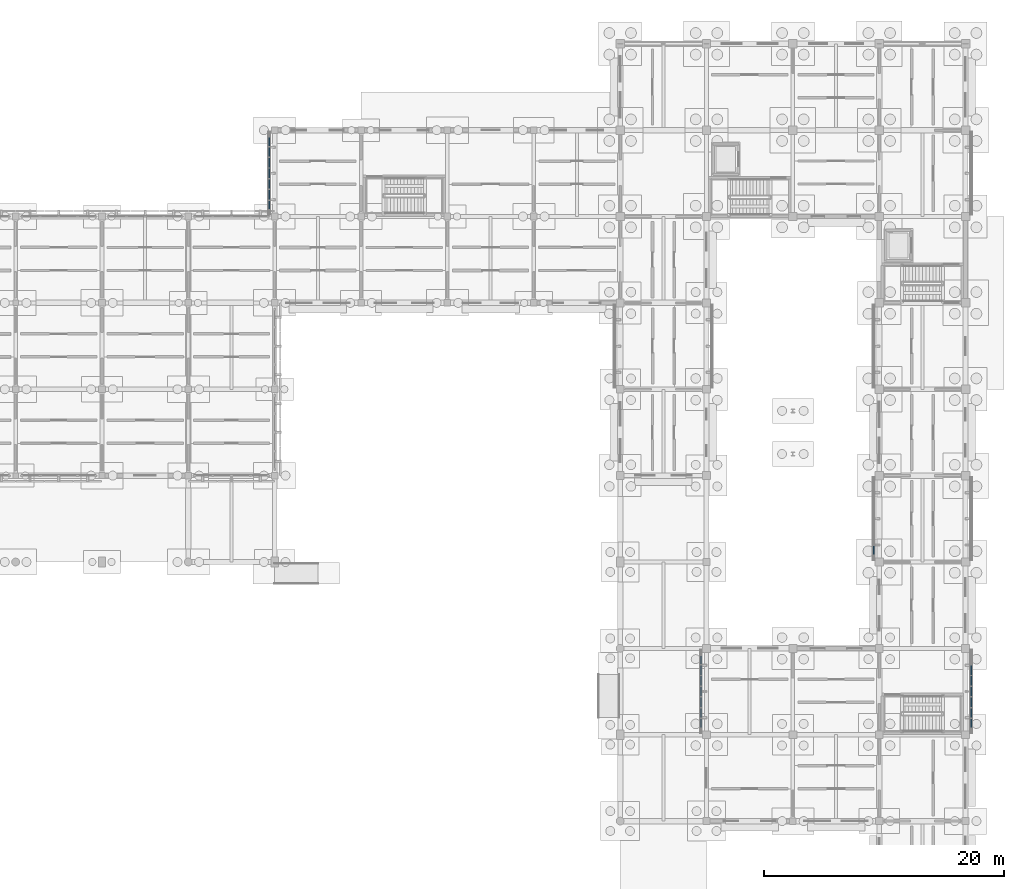
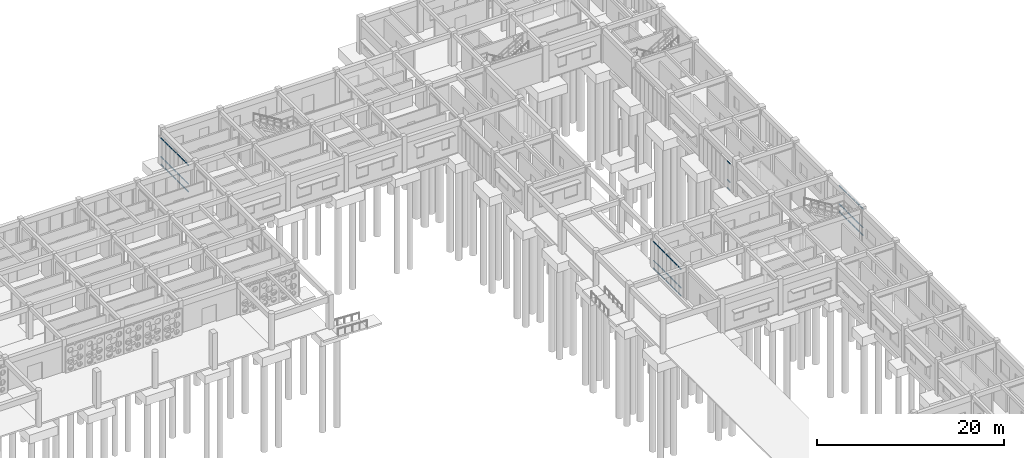
# One storey, part 44 of 111: 63 members, 4 elements without a shape of their own.
"""IFC4 building model written with IfcOpenShell, lengths in metres."""

from ifc_helpers import new_model, si_unit, direction, frame, origin, origin_2d, place, context, subcontext, project, spatial, hollow_rectangle, extrude, material, material_profile, profile_set, type_object, element, aggregate, save


model = new_model("IFC4")

# Units and contexts
model_context = context("Model", 3, precision=1e-05, world=origin(), true_north=direction((0.0, 1.0)))
body_context = subcontext(model_context, "Body", "Model", "MODEL_VIEW")
ifc_project = project(units=[si_unit("LENGTHUNIT", "METRE"), si_unit("AREAUNIT", "SQUARE_METRE"), si_unit("VOLUMEUNIT", "CUBIC_METRE"), si_unit("PLANEANGLEUNIT", "RADIAN"), si_unit("MASSUNIT", "GRAM", prefix="KILO")], contexts=[model_context])

# Site, building, storey
site_placement = place(None, origin())
site = spatial("IfcSite", under=ifc_project, at=site_placement, CompositionType="ELEMENT")
building_placement = place(site_placement, origin())
building = spatial("IfcBuilding", under=site, at=building_placement, Name="Aldebral Square Health Centre", CompositionType="ELEMENT")
storey_placement = place(building_placement, origin())
storey = spatial("IfcBuildingStorey", under=building, at=storey_placement, Name="L00", CompositionType="ELEMENT", Elevation=0.0)

# Curtain wall, members
ifc_material_1 = material(Name="Aluminium and low-E solar glass", Category="aluminium")
curtain_wall_type = type_object("IfcCurtainWallType", Name="CW-FIN-SYS", PredefinedType="USERDEFINED", material=ifc_material_1)
curtain_wall_1_placement = place(storey_placement, origin())
curtain_wall_1 = element("IfcCurtainWall", 1, at=curtain_wall_1_placement, inside=storey, type_object=curtain_wall_type, Name="L00 V5 finned curtain wall L00-V5-15-14-W", ObjectType="SOLAR_CURTAIN_WALL", PredefinedType="USERDEFINED")
ifc_material_2 = material(Name="Anodised aluminium transom", Category="aluminium")
ifc_material_profile = material_profile(ifc_material_2, hollow_rectangle(XDim=0.074951171875, YDim=0.14990234375, WallThickness=0.00390625, at=origin_2d()), Name="CWT 75x150x4")
ifc_profile_set = profile_set([ifc_material_profile], Name="Anodised aluminium transom")
member_type = type_object("IfcMemberType", Name="CWT-STD", PredefinedType="USERDEFINED", material=ifc_profile_set)
member_1_placement = place(storey_placement, frame((107.5400390625, 107.360107421875, 0.03759765625), z_axis=(0.0, -1.0, 0.0), x_axis=(1.0, 0.0, 0.0)))
member_1 = element("IfcMember", 2, at=member_1_placement, type_object=member_type, Name="CW1 transom 1.1", ObjectType="TRANSOM", PredefinedType="USERDEFINED", context=body_context, shape_type="SweptSolid", body=[
    extrude(hollow_rectangle(XDim=0.074951171875, YDim=0.14990234375, WallThickness=0.00390625, at=origin_2d()), origin(), (0.0, 0.0, 1.0), 0.651611328125),
])
member_2_placement = place(storey_placement, frame((107.5400390625, 107.360107421875, 1.050048828125), z_axis=(0.0, -1.0, 0.0), x_axis=(1.0, 0.0, 0.0)))
member_2 = element("IfcMember", 3, at=member_2_placement, type_object=member_type, Name="CW1 transom 1.2", ObjectType="TRANSOM", PredefinedType="USERDEFINED", context=body_context, shape_type="SweptSolid", body=[
    extrude(hollow_rectangle(XDim=0.074951171875, YDim=0.14990234375, WallThickness=0.00390625, at=origin_2d()), origin(), (0.0, 0.0, 1.0), 0.651611328125),
])
member_3_placement = place(storey_placement, frame((107.5400390625, 107.360107421875, 3.482421875), z_axis=(0.0, -1.0, 0.0), x_axis=(1.0, 0.0, 0.0)))
member_3 = element("IfcMember", 4, at=member_3_placement, type_object=member_type, Name="CW1 transom 1.3", ObjectType="TRANSOM", PredefinedType="USERDEFINED", context=body_context, shape_type="SweptSolid", body=[
    extrude(hollow_rectangle(XDim=0.074951171875, YDim=0.14990234375, WallThickness=0.00390625, at=origin_2d()), origin(), (0.0, 0.0, 1.0), 0.651611328125),
])
member_4_placement = place(storey_placement, frame((107.5400390625, 106.548583984375, 0.03759765625), z_axis=(0.0, -1.0, 0.0), x_axis=(1.0, 0.0, 0.0)))
member_4 = element("IfcMember", 5, at=member_4_placement, type_object=member_type, Name="CW1 transom 2.1", ObjectType="TRANSOM", PredefinedType="USERDEFINED", context=body_context, shape_type="SweptSolid", body=[
    extrude(hollow_rectangle(XDim=0.074951171875, YDim=0.14990234375, WallThickness=0.00390625, at=origin_2d()), origin(), (0.0, 0.0, 1.0), 0.7314453125),
])
member_5_placement = place(storey_placement, frame((107.5400390625, 106.548583984375, 1.050048828125), z_axis=(0.0, -1.0, 0.0), x_axis=(1.0, 0.0, 0.0)))
member_5 = element("IfcMember", 6, at=member_5_placement, type_object=member_type, Name="CW1 transom 2.2", ObjectType="TRANSOM", PredefinedType="USERDEFINED", context=body_context, shape_type="SweptSolid", body=[
    extrude(hollow_rectangle(XDim=0.074951171875, YDim=0.14990234375, WallThickness=0.00390625, at=origin_2d()), origin(), (0.0, 0.0, 1.0), 0.7314453125),
])
member_6_placement = place(storey_placement, frame((107.5400390625, 106.548583984375, 3.482421875), z_axis=(0.0, -1.0, 0.0), x_axis=(1.0, 0.0, 0.0)))
member_6 = element("IfcMember", 7, at=member_6_placement, type_object=member_type, Name="CW1 transom 2.3", ObjectType="TRANSOM", PredefinedType="USERDEFINED", context=body_context, shape_type="SweptSolid", body=[
    extrude(hollow_rectangle(XDim=0.074951171875, YDim=0.14990234375, WallThickness=0.00390625, at=origin_2d()), origin(), (0.0, 0.0, 1.0), 0.7314453125),
])
member_7_placement = place(storey_placement, frame((107.5400390625, 105.6572265625, 0.03759765625), z_axis=(0.0, -1.0, 0.0), x_axis=(1.0, 0.0, 0.0)))
member_7 = element("IfcMember", 8, at=member_7_placement, type_object=member_type, Name="CW1 transom 3.1", ObjectType="TRANSOM", PredefinedType="USERDEFINED", context=body_context, shape_type="SweptSolid", body=[
    extrude(hollow_rectangle(XDim=0.074951171875, YDim=0.14990234375, WallThickness=0.00390625, at=origin_2d()), origin(), (0.0, 0.0, 1.0), 0.7314453125),
])
member_8_placement = place(storey_placement, frame((107.5400390625, 105.6572265625, 1.050048828125), z_axis=(0.0, -1.0, 0.0), x_axis=(1.0, 0.0, 0.0)))
member_8 = element("IfcMember", 9, at=member_8_placement, type_object=member_type, Name="CW1 transom 3.2", ObjectType="TRANSOM", PredefinedType="USERDEFINED", context=body_context, shape_type="SweptSolid", body=[
    extrude(hollow_rectangle(XDim=0.074951171875, YDim=0.14990234375, WallThickness=0.00390625, at=origin_2d()), origin(), (0.0, 0.0, 1.0), 0.7314453125),
])
member_9_placement = place(storey_placement, frame((107.5400390625, 105.6572265625, 3.482421875), z_axis=(0.0, -1.0, 0.0), x_axis=(1.0, 0.0, 0.0)))
member_9 = element("IfcMember", 10, at=member_9_placement, type_object=member_type, Name="CW1 transom 3.3", ObjectType="TRANSOM", PredefinedType="USERDEFINED", context=body_context, shape_type="SweptSolid", body=[
    extrude(hollow_rectangle(XDim=0.074951171875, YDim=0.14990234375, WallThickness=0.00390625, at=origin_2d()), origin(), (0.0, 0.0, 1.0), 0.7314453125),
])
member_10_placement = place(storey_placement, frame((107.5400390625, 104.765625, 0.03759765625), z_axis=(0.0, -1.0, 0.0), x_axis=(1.0, 0.0, 0.0)))
member_10 = element("IfcMember", 11, at=member_10_placement, type_object=member_type, Name="CW1 transom 4.1", ObjectType="TRANSOM", PredefinedType="USERDEFINED", context=body_context, shape_type="SweptSolid", body=[
    extrude(hollow_rectangle(XDim=0.074951171875, YDim=0.14990234375, WallThickness=0.00390625, at=origin_2d()), origin(), (0.0, 0.0, 1.0), 0.7314453125),
])
member_11_placement = place(storey_placement, frame((107.5400390625, 104.765625, 1.050048828125), z_axis=(0.0, -1.0, 0.0), x_axis=(1.0, 0.0, 0.0)))
member_11 = element("IfcMember", 12, at=member_11_placement, type_object=member_type, Name="CW1 transom 4.2", ObjectType="TRANSOM", PredefinedType="USERDEFINED", context=body_context, shape_type="SweptSolid", body=[
    extrude(hollow_rectangle(XDim=0.074951171875, YDim=0.14990234375, WallThickness=0.00390625, at=origin_2d()), origin(), (0.0, 0.0, 1.0), 0.7314453125),
])
member_12_placement = place(storey_placement, frame((107.5400390625, 104.765625, 3.482421875), z_axis=(0.0, -1.0, 0.0), x_axis=(1.0, 0.0, 0.0)))
member_12 = element("IfcMember", 13, at=member_12_placement, type_object=member_type, Name="CW1 transom 4.3", ObjectType="TRANSOM", PredefinedType="USERDEFINED", context=body_context, shape_type="SweptSolid", body=[
    extrude(hollow_rectangle(XDim=0.074951171875, YDim=0.14990234375, WallThickness=0.00390625, at=origin_2d()), origin(), (0.0, 0.0, 1.0), 0.7314453125),
])
member_13_placement = place(storey_placement, frame((107.5400390625, 103.874267578125, 0.03759765625), z_axis=(0.0, -1.0, 0.0), x_axis=(1.0, 0.0, 0.0)))
member_13 = element("IfcMember", 14, at=member_13_placement, type_object=member_type, Name="CW1 transom 5.1", ObjectType="TRANSOM", PredefinedType="USERDEFINED", context=body_context, shape_type="SweptSolid", body=[
    extrude(hollow_rectangle(XDim=0.074951171875, YDim=0.14990234375, WallThickness=0.00390625, at=origin_2d()), origin(), (0.0, 0.0, 1.0), 0.7314453125),
])
member_14_placement = place(storey_placement, frame((107.5400390625, 103.874267578125, 1.050048828125), z_axis=(0.0, -1.0, 0.0), x_axis=(1.0, 0.0, 0.0)))
member_14 = element("IfcMember", 15, at=member_14_placement, type_object=member_type, Name="CW1 transom 5.2", ObjectType="TRANSOM", PredefinedType="USERDEFINED", context=body_context, shape_type="SweptSolid", body=[
    extrude(hollow_rectangle(XDim=0.074951171875, YDim=0.14990234375, WallThickness=0.00390625, at=origin_2d()), origin(), (0.0, 0.0, 1.0), 0.7314453125),
])
member_15_placement = place(storey_placement, frame((107.5400390625, 103.874267578125, 3.482421875), z_axis=(0.0, -1.0, 0.0), x_axis=(1.0, 0.0, 0.0)))
member_15 = element("IfcMember", 16, at=member_15_placement, type_object=member_type, Name="CW1 transom 5.3", ObjectType="TRANSOM", PredefinedType="USERDEFINED", context=body_context, shape_type="SweptSolid", body=[
    extrude(hollow_rectangle(XDim=0.074951171875, YDim=0.14990234375, WallThickness=0.00390625, at=origin_2d()), origin(), (0.0, 0.0, 1.0), 0.7314453125),
])
member_16_placement = place(storey_placement, frame((107.5400390625, 102.98291015625, 0.03759765625), z_axis=(0.0, -1.0, 0.0), x_axis=(1.0, 0.0, 0.0)))
member_16 = element("IfcMember", 17, at=member_16_placement, type_object=member_type, Name="CW1 transom 6.1", ObjectType="TRANSOM", PredefinedType="USERDEFINED", context=body_context, shape_type="SweptSolid", body=[
    extrude(hollow_rectangle(XDim=0.074951171875, YDim=0.14990234375, WallThickness=0.00390625, at=origin_2d()), origin(), (0.0, 0.0, 1.0), 0.7314453125),
])
member_17_placement = place(storey_placement, frame((107.5400390625, 102.98291015625, 1.050048828125), z_axis=(0.0, -1.0, 0.0), x_axis=(1.0, 0.0, 0.0)))
member_17 = element("IfcMember", 18, at=member_17_placement, type_object=member_type, Name="CW1 transom 6.2", ObjectType="TRANSOM", PredefinedType="USERDEFINED", context=body_context, shape_type="SweptSolid", body=[
    extrude(hollow_rectangle(XDim=0.074951171875, YDim=0.14990234375, WallThickness=0.00390625, at=origin_2d()), origin(), (0.0, 0.0, 1.0), 0.7314453125),
])
member_18_placement = place(storey_placement, frame((107.5400390625, 102.98291015625, 3.482421875), z_axis=(0.0, -1.0, 0.0), x_axis=(1.0, 0.0, 0.0)))
member_18 = element("IfcMember", 19, at=member_18_placement, type_object=member_type, Name="CW1 transom 6.3", ObjectType="TRANSOM", PredefinedType="USERDEFINED", context=body_context, shape_type="SweptSolid", body=[
    extrude(hollow_rectangle(XDim=0.074951171875, YDim=0.14990234375, WallThickness=0.00390625, at=origin_2d()), origin(), (0.0, 0.0, 1.0), 0.7314453125),
])
member_19_placement = place(storey_placement, frame((107.5400390625, 102.09130859375, 0.03759765625), z_axis=(0.0, -1.0, 0.0), x_axis=(1.0, 0.0, 0.0)))
member_19 = element("IfcMember", 20, at=member_19_placement, type_object=member_type, Name="CW1 transom 7.1", ObjectType="TRANSOM", PredefinedType="USERDEFINED", context=body_context, shape_type="SweptSolid", body=[
    extrude(hollow_rectangle(XDim=0.074951171875, YDim=0.14990234375, WallThickness=0.00390625, at=origin_2d()), origin(), (0.0, 0.0, 1.0), 0.6513671875),
])
member_20_placement = place(storey_placement, frame((107.5400390625, 102.09130859375, 1.050048828125), z_axis=(0.0, -1.0, 0.0), x_axis=(1.0, 0.0, 0.0)))
member_20 = element("IfcMember", 21, at=member_20_placement, type_object=member_type, Name="CW1 transom 7.2", ObjectType="TRANSOM", PredefinedType="USERDEFINED", context=body_context, shape_type="SweptSolid", body=[
    extrude(hollow_rectangle(XDim=0.074951171875, YDim=0.14990234375, WallThickness=0.00390625, at=origin_2d()), origin(), (0.0, 0.0, 1.0), 0.6513671875),
])
member_21_placement = place(storey_placement, frame((107.5400390625, 102.09130859375, 3.482421875), z_axis=(0.0, -1.0, 0.0), x_axis=(1.0, 0.0, 0.0)))
member_21 = element("IfcMember", 22, at=member_21_placement, type_object=member_type, Name="CW1 transom 7.3", ObjectType="TRANSOM", PredefinedType="USERDEFINED", context=body_context, shape_type="SweptSolid", body=[
    extrude(hollow_rectangle(XDim=0.074951171875, YDim=0.14990234375, WallThickness=0.00390625, at=origin_2d()), origin(), (0.0, 0.0, 1.0), 0.6513671875),
])
aggregate(curtain_wall_1, [member_1, member_2, member_3, member_4, member_5, member_6, member_7, member_8, member_9, member_10, member_11, member_12, member_13, member_14, member_15, member_16, member_17, member_18, member_19, member_20, member_21])

curtain_wall_2_placement = place(storey_placement, origin())
curtain_wall_2 = element("IfcCurtainWall", 23, at=curtain_wall_2_placement, inside=storey, type_object=curtain_wall_type, Name="L00 V5 finned curtain wall L00-V5-20-08-W", ObjectType="SOLAR_CURTAIN_WALL", PredefinedType="USERDEFINED")
member_22_placement = place(storey_placement, frame((143.5400390625, 64.159912109375, 0.03759765625), z_axis=(0.0, -1.0, 0.0), x_axis=(1.0, 0.0, 0.0)))
member_22 = element("IfcMember", 24, at=member_22_placement, type_object=member_type, Name="CW1 transom 1.1", ObjectType="TRANSOM", PredefinedType="USERDEFINED", context=body_context, shape_type="SweptSolid", body=[
    extrude(hollow_rectangle(XDim=0.074951171875, YDim=0.14990234375, WallThickness=0.00390625, at=origin_2d()), origin(), (0.0, 0.0, 1.0), 0.6513671875),
])
member_23_placement = place(storey_placement, frame((143.5400390625, 64.159912109375, 1.050048828125), z_axis=(0.0, -1.0, 0.0), x_axis=(1.0, 0.0, 0.0)))
member_23 = element("IfcMember", 25, at=member_23_placement, type_object=member_type, Name="CW1 transom 1.2", ObjectType="TRANSOM", PredefinedType="USERDEFINED", context=body_context, shape_type="SweptSolid", body=[
    extrude(hollow_rectangle(XDim=0.074951171875, YDim=0.14990234375, WallThickness=0.00390625, at=origin_2d()), origin(), (0.0, 0.0, 1.0), 0.6513671875),
])
member_24_placement = place(storey_placement, frame((143.5400390625, 64.159912109375, 3.482421875), z_axis=(0.0, -1.0, 0.0), x_axis=(1.0, 0.0, 0.0)))
member_24 = element("IfcMember", 26, at=member_24_placement, type_object=member_type, Name="CW1 transom 1.3", ObjectType="TRANSOM", PredefinedType="USERDEFINED", context=body_context, shape_type="SweptSolid", body=[
    extrude(hollow_rectangle(XDim=0.074951171875, YDim=0.14990234375, WallThickness=0.00390625, at=origin_2d()), origin(), (0.0, 0.0, 1.0), 0.6513671875),
])
member_25_placement = place(storey_placement, frame((143.5400390625, 63.3486328125, 0.03759765625), z_axis=(0.0, -1.0, 0.0), x_axis=(1.0, 0.0, 0.0)))
member_25 = element("IfcMember", 27, at=member_25_placement, type_object=member_type, Name="CW1 transom 2.1", ObjectType="TRANSOM", PredefinedType="USERDEFINED", context=body_context, shape_type="SweptSolid", body=[
    extrude(hollow_rectangle(XDim=0.074951171875, YDim=0.14990234375, WallThickness=0.00390625, at=origin_2d()), origin(), (0.0, 0.0, 1.0), 0.7314453125),
])
member_26_placement = place(storey_placement, frame((143.5400390625, 63.3486328125, 1.050048828125), z_axis=(0.0, -1.0, 0.0), x_axis=(1.0, 0.0, 0.0)))
member_26 = element("IfcMember", 28, at=member_26_placement, type_object=member_type, Name="CW1 transom 2.2", ObjectType="TRANSOM", PredefinedType="USERDEFINED", context=body_context, shape_type="SweptSolid", body=[
    extrude(hollow_rectangle(XDim=0.074951171875, YDim=0.14990234375, WallThickness=0.00390625, at=origin_2d()), origin(), (0.0, 0.0, 1.0), 0.7314453125),
])
member_27_placement = place(storey_placement, frame((143.5400390625, 63.3486328125, 3.482421875), z_axis=(0.0, -1.0, 0.0), x_axis=(1.0, 0.0, 0.0)))
member_27 = element("IfcMember", 29, at=member_27_placement, type_object=member_type, Name="CW1 transom 2.3", ObjectType="TRANSOM", PredefinedType="USERDEFINED", context=body_context, shape_type="SweptSolid", body=[
    extrude(hollow_rectangle(XDim=0.074951171875, YDim=0.14990234375, WallThickness=0.00390625, at=origin_2d()), origin(), (0.0, 0.0, 1.0), 0.7314453125),
])
member_28_placement = place(storey_placement, frame((143.5400390625, 62.45703125, 0.03759765625), z_axis=(0.0, -1.0, 0.0), x_axis=(1.0, 0.0, 0.0)))
member_28 = element("IfcMember", 30, at=member_28_placement, type_object=member_type, Name="CW1 transom 3.1", ObjectType="TRANSOM", PredefinedType="USERDEFINED", context=body_context, shape_type="SweptSolid", body=[
    extrude(hollow_rectangle(XDim=0.074951171875, YDim=0.14990234375, WallThickness=0.00390625, at=origin_2d()), origin(), (0.0, 0.0, 1.0), 0.731201171875),
])
member_29_placement = place(storey_placement, frame((143.5400390625, 62.45703125, 1.050048828125), z_axis=(0.0, -1.0, 0.0), x_axis=(1.0, 0.0, 0.0)))
member_29 = element("IfcMember", 31, at=member_29_placement, type_object=member_type, Name="CW1 transom 3.2", ObjectType="TRANSOM", PredefinedType="USERDEFINED", context=body_context, shape_type="SweptSolid", body=[
    extrude(hollow_rectangle(XDim=0.074951171875, YDim=0.14990234375, WallThickness=0.00390625, at=origin_2d()), origin(), (0.0, 0.0, 1.0), 0.731201171875),
])
member_30_placement = place(storey_placement, frame((143.5400390625, 62.45703125, 3.482421875), z_axis=(0.0, -1.0, 0.0), x_axis=(1.0, 0.0, 0.0)))
member_30 = element("IfcMember", 32, at=member_30_placement, type_object=member_type, Name="CW1 transom 3.3", ObjectType="TRANSOM", PredefinedType="USERDEFINED", context=body_context, shape_type="SweptSolid", body=[
    extrude(hollow_rectangle(XDim=0.074951171875, YDim=0.14990234375, WallThickness=0.00390625, at=origin_2d()), origin(), (0.0, 0.0, 1.0), 0.731201171875),
])
member_31_placement = place(storey_placement, frame((143.5400390625, 61.565673828125, 0.03759765625), z_axis=(0.0, -1.0, 0.0), x_axis=(1.0, 0.0, 0.0)))
member_31 = element("IfcMember", 33, at=member_31_placement, type_object=member_type, Name="CW1 transom 4.1", ObjectType="TRANSOM", PredefinedType="USERDEFINED", context=body_context, shape_type="SweptSolid", body=[
    extrude(hollow_rectangle(XDim=0.074951171875, YDim=0.14990234375, WallThickness=0.00390625, at=origin_2d()), origin(), (0.0, 0.0, 1.0), 0.7314453125),
])
member_32_placement = place(storey_placement, frame((143.5400390625, 61.565673828125, 1.050048828125), z_axis=(0.0, -1.0, 0.0), x_axis=(1.0, 0.0, 0.0)))
member_32 = element("IfcMember", 34, at=member_32_placement, type_object=member_type, Name="CW1 transom 4.2", ObjectType="TRANSOM", PredefinedType="USERDEFINED", context=body_context, shape_type="SweptSolid", body=[
    extrude(hollow_rectangle(XDim=0.074951171875, YDim=0.14990234375, WallThickness=0.00390625, at=origin_2d()), origin(), (0.0, 0.0, 1.0), 0.7314453125),
])
member_33_placement = place(storey_placement, frame((143.5400390625, 61.565673828125, 3.482421875), z_axis=(0.0, -1.0, 0.0), x_axis=(1.0, 0.0, 0.0)))
member_33 = element("IfcMember", 35, at=member_33_placement, type_object=member_type, Name="CW1 transom 4.3", ObjectType="TRANSOM", PredefinedType="USERDEFINED", context=body_context, shape_type="SweptSolid", body=[
    extrude(hollow_rectangle(XDim=0.074951171875, YDim=0.14990234375, WallThickness=0.00390625, at=origin_2d()), origin(), (0.0, 0.0, 1.0), 0.7314453125),
])
member_34_placement = place(storey_placement, frame((143.5400390625, 60.67431640625, 0.03759765625), z_axis=(0.0, -1.0, 0.0), x_axis=(1.0, 0.0, 0.0)))
member_34 = element("IfcMember", 36, at=member_34_placement, type_object=member_type, Name="CW1 transom 5.1", ObjectType="TRANSOM", PredefinedType="USERDEFINED", context=body_context, shape_type="SweptSolid", body=[
    extrude(hollow_rectangle(XDim=0.074951171875, YDim=0.14990234375, WallThickness=0.00390625, at=origin_2d()), origin(), (0.0, 0.0, 1.0), 0.7314453125),
])
member_35_placement = place(storey_placement, frame((143.5400390625, 60.67431640625, 1.050048828125), z_axis=(0.0, -1.0, 0.0), x_axis=(1.0, 0.0, 0.0)))
member_35 = element("IfcMember", 37, at=member_35_placement, type_object=member_type, Name="CW1 transom 5.2", ObjectType="TRANSOM", PredefinedType="USERDEFINED", context=body_context, shape_type="SweptSolid", body=[
    extrude(hollow_rectangle(XDim=0.074951171875, YDim=0.14990234375, WallThickness=0.00390625, at=origin_2d()), origin(), (0.0, 0.0, 1.0), 0.7314453125),
])
member_36_placement = place(storey_placement, frame((143.5400390625, 60.67431640625, 3.482421875), z_axis=(0.0, -1.0, 0.0), x_axis=(1.0, 0.0, 0.0)))
member_36 = element("IfcMember", 38, at=member_36_placement, type_object=member_type, Name="CW1 transom 5.3", ObjectType="TRANSOM", PredefinedType="USERDEFINED", context=body_context, shape_type="SweptSolid", body=[
    extrude(hollow_rectangle(XDim=0.074951171875, YDim=0.14990234375, WallThickness=0.00390625, at=origin_2d()), origin(), (0.0, 0.0, 1.0), 0.7314453125),
])
member_37_placement = place(storey_placement, frame((143.5400390625, 59.782958984375, 0.03759765625), z_axis=(0.0, -1.0, 0.0), x_axis=(1.0, 0.0, 0.0)))
member_37 = element("IfcMember", 39, at=member_37_placement, type_object=member_type, Name="CW1 transom 6.1", ObjectType="TRANSOM", PredefinedType="USERDEFINED", context=body_context, shape_type="SweptSolid", body=[
    extrude(hollow_rectangle(XDim=0.074951171875, YDim=0.14990234375, WallThickness=0.00390625, at=origin_2d()), origin(), (0.0, 0.0, 1.0), 0.7314453125),
])
member_38_placement = place(storey_placement, frame((143.5400390625, 59.782958984375, 1.050048828125), z_axis=(0.0, -1.0, 0.0), x_axis=(1.0, 0.0, 0.0)))
member_38 = element("IfcMember", 40, at=member_38_placement, type_object=member_type, Name="CW1 transom 6.2", ObjectType="TRANSOM", PredefinedType="USERDEFINED", context=body_context, shape_type="SweptSolid", body=[
    extrude(hollow_rectangle(XDim=0.074951171875, YDim=0.14990234375, WallThickness=0.00390625, at=origin_2d()), origin(), (0.0, 0.0, 1.0), 0.7314453125),
])
member_39_placement = place(storey_placement, frame((143.5400390625, 59.782958984375, 3.482421875), z_axis=(0.0, -1.0, 0.0), x_axis=(1.0, 0.0, 0.0)))
member_39 = element("IfcMember", 41, at=member_39_placement, type_object=member_type, Name="CW1 transom 6.3", ObjectType="TRANSOM", PredefinedType="USERDEFINED", context=body_context, shape_type="SweptSolid", body=[
    extrude(hollow_rectangle(XDim=0.074951171875, YDim=0.14990234375, WallThickness=0.00390625, at=origin_2d()), origin(), (0.0, 0.0, 1.0), 0.7314453125),
])
member_40_placement = place(storey_placement, frame((143.5400390625, 58.891357421875, 0.03759765625), z_axis=(0.0, -1.0, 0.0), x_axis=(1.0, 0.0, 0.0)))
member_40 = element("IfcMember", 42, at=member_40_placement, type_object=member_type, Name="CW1 transom 7.1", ObjectType="TRANSOM", PredefinedType="USERDEFINED", context=body_context, shape_type="SweptSolid", body=[
    extrude(hollow_rectangle(XDim=0.074951171875, YDim=0.14990234375, WallThickness=0.00390625, at=origin_2d()), origin(), (0.0, 0.0, 1.0), 0.6513671875),
])
member_41_placement = place(storey_placement, frame((143.5400390625, 58.891357421875, 1.050048828125), z_axis=(0.0, -1.0, 0.0), x_axis=(1.0, 0.0, 0.0)))
member_41 = element("IfcMember", 43, at=member_41_placement, type_object=member_type, Name="CW1 transom 7.2", ObjectType="TRANSOM", PredefinedType="USERDEFINED", context=body_context, shape_type="SweptSolid", body=[
    extrude(hollow_rectangle(XDim=0.074951171875, YDim=0.14990234375, WallThickness=0.00390625, at=origin_2d()), origin(), (0.0, 0.0, 1.0), 0.6513671875),
])
member_42_placement = place(storey_placement, frame((143.5400390625, 58.891357421875, 3.482421875), z_axis=(0.0, -1.0, 0.0), x_axis=(1.0, 0.0, 0.0)))
member_42 = element("IfcMember", 44, at=member_42_placement, type_object=member_type, Name="CW1 transom 7.3", ObjectType="TRANSOM", PredefinedType="USERDEFINED", context=body_context, shape_type="SweptSolid", body=[
    extrude(hollow_rectangle(XDim=0.074951171875, YDim=0.14990234375, WallThickness=0.00390625, at=origin_2d()), origin(), (0.0, 0.0, 1.0), 0.6513671875),
])
aggregate(curtain_wall_2, [member_22, member_23, member_24, member_25, member_26, member_27, member_28, member_29, member_30, member_31, member_32, member_33, member_34, member_35, member_36, member_37, member_38, member_39, member_40, member_41, member_42])

curtain_wall_3_placement = place(storey_placement, origin())
curtain_wall_3 = element("IfcCurtainWall", 45, at=curtain_wall_3_placement, inside=storey, type_object=curtain_wall_type, Name="L00 V5 finned curtain wall L00-V5-22-08-E", ObjectType="SOLAR_CURTAIN_WALL", PredefinedType="USERDEFINED")
member_43_placement = place(storey_placement, frame((166.06005859375, 58.239990234375, 0.03759765625), z_axis=(0.0, 1.0, 0.0), x_axis=(-1.0, 0.0, 0.0)))
member_43 = element("IfcMember", 46, at=member_43_placement, type_object=member_type, Name="CW1 transom 1.1", ObjectType="TRANSOM", PredefinedType="USERDEFINED", context=body_context, shape_type="SweptSolid", body=[
    extrude(hollow_rectangle(XDim=0.074951171875, YDim=0.14990234375, WallThickness=0.00390625, at=origin_2d()), origin(), (0.0, 0.0, 1.0), 0.6513671875),
])
member_44_placement = place(storey_placement, frame((166.06005859375, 58.239990234375, 1.050048828125), z_axis=(0.0, 1.0, 0.0), x_axis=(-1.0, 0.0, 0.0)))
member_44 = element("IfcMember", 47, at=member_44_placement, type_object=member_type, Name="CW1 transom 1.2", ObjectType="TRANSOM", PredefinedType="USERDEFINED", context=body_context, shape_type="SweptSolid", body=[
    extrude(hollow_rectangle(XDim=0.074951171875, YDim=0.14990234375, WallThickness=0.00390625, at=origin_2d()), origin(), (0.0, 0.0, 1.0), 0.6513671875),
])
member_45_placement = place(storey_placement, frame((166.06005859375, 58.239990234375, 3.482421875), z_axis=(0.0, 1.0, 0.0), x_axis=(-1.0, 0.0, 0.0)))
member_45 = element("IfcMember", 48, at=member_45_placement, type_object=member_type, Name="CW1 transom 1.3", ObjectType="TRANSOM", PredefinedType="USERDEFINED", context=body_context, shape_type="SweptSolid", body=[
    extrude(hollow_rectangle(XDim=0.074951171875, YDim=0.14990234375, WallThickness=0.00390625, at=origin_2d()), origin(), (0.0, 0.0, 1.0), 0.6513671875),
])
member_46_placement = place(storey_placement, frame((166.06005859375, 59.051513671875, 0.03759765625), z_axis=(0.0, 1.0, 0.0), x_axis=(-1.0, 0.0, 0.0)))
member_46 = element("IfcMember", 49, at=member_46_placement, type_object=member_type, Name="CW1 transom 2.1", ObjectType="TRANSOM", PredefinedType="USERDEFINED", context=body_context, shape_type="SweptSolid", body=[
    extrude(hollow_rectangle(XDim=0.074951171875, YDim=0.14990234375, WallThickness=0.00390625, at=origin_2d()), origin(), (0.0, 0.0, 1.0), 0.7314453125),
])
member_47_placement = place(storey_placement, frame((166.06005859375, 59.051513671875, 1.050048828125), z_axis=(0.0, 1.0, 0.0), x_axis=(-1.0, 0.0, 0.0)))
member_47 = element("IfcMember", 50, at=member_47_placement, type_object=member_type, Name="CW1 transom 2.2", ObjectType="TRANSOM", PredefinedType="USERDEFINED", context=body_context, shape_type="SweptSolid", body=[
    extrude(hollow_rectangle(XDim=0.074951171875, YDim=0.14990234375, WallThickness=0.00390625, at=origin_2d()), origin(), (0.0, 0.0, 1.0), 0.7314453125),
])
member_48_placement = place(storey_placement, frame((166.06005859375, 59.051513671875, 3.482421875), z_axis=(0.0, 1.0, 0.0), x_axis=(-1.0, 0.0, 0.0)))
member_48 = element("IfcMember", 51, at=member_48_placement, type_object=member_type, Name="CW1 transom 2.3", ObjectType="TRANSOM", PredefinedType="USERDEFINED", context=body_context, shape_type="SweptSolid", body=[
    extrude(hollow_rectangle(XDim=0.074951171875, YDim=0.14990234375, WallThickness=0.00390625, at=origin_2d()), origin(), (0.0, 0.0, 1.0), 0.7314453125),
])
member_49_placement = place(storey_placement, frame((166.06005859375, 59.94287109375, 0.03759765625), z_axis=(0.0, 1.0, 0.0), x_axis=(-1.0, 0.0, 0.0)))
member_49 = element("IfcMember", 52, at=member_49_placement, type_object=member_type, Name="CW1 transom 3.1", ObjectType="TRANSOM", PredefinedType="USERDEFINED", context=body_context, shape_type="SweptSolid", body=[
    extrude(hollow_rectangle(XDim=0.074951171875, YDim=0.14990234375, WallThickness=0.00390625, at=origin_2d()), origin(), (0.0, 0.0, 1.0), 0.7314453125),
])
member_50_placement = place(storey_placement, frame((166.06005859375, 59.94287109375, 1.050048828125), z_axis=(0.0, 1.0, 0.0), x_axis=(-1.0, 0.0, 0.0)))
member_50 = element("IfcMember", 53, at=member_50_placement, type_object=member_type, Name="CW1 transom 3.2", ObjectType="TRANSOM", PredefinedType="USERDEFINED", context=body_context, shape_type="SweptSolid", body=[
    extrude(hollow_rectangle(XDim=0.074951171875, YDim=0.14990234375, WallThickness=0.00390625, at=origin_2d()), origin(), (0.0, 0.0, 1.0), 0.7314453125),
])
member_51_placement = place(storey_placement, frame((166.06005859375, 59.94287109375, 3.482421875), z_axis=(0.0, 1.0, 0.0), x_axis=(-1.0, 0.0, 0.0)))
member_51 = element("IfcMember", 54, at=member_51_placement, type_object=member_type, Name="CW1 transom 3.3", ObjectType="TRANSOM", PredefinedType="USERDEFINED", context=body_context, shape_type="SweptSolid", body=[
    extrude(hollow_rectangle(XDim=0.074951171875, YDim=0.14990234375, WallThickness=0.00390625, at=origin_2d()), origin(), (0.0, 0.0, 1.0), 0.7314453125),
])
member_52_placement = place(storey_placement, frame((166.06005859375, 60.834228515625, 0.03759765625), z_axis=(0.0, 1.0, 0.0), x_axis=(-1.0, 0.0, 0.0)))
member_52 = element("IfcMember", 55, at=member_52_placement, type_object=member_type, Name="CW1 transom 4.1", ObjectType="TRANSOM", PredefinedType="USERDEFINED", context=body_context, shape_type="SweptSolid", body=[
    extrude(hollow_rectangle(XDim=0.074951171875, YDim=0.14990234375, WallThickness=0.00390625, at=origin_2d()), origin(), (0.0, 0.0, 1.0), 0.7314453125),
])
member_53_placement = place(storey_placement, frame((166.06005859375, 60.834228515625, 1.050048828125), z_axis=(0.0, 1.0, 0.0), x_axis=(-1.0, 0.0, 0.0)))
member_53 = element("IfcMember", 56, at=member_53_placement, type_object=member_type, Name="CW1 transom 4.2", ObjectType="TRANSOM", PredefinedType="USERDEFINED", context=body_context, shape_type="SweptSolid", body=[
    extrude(hollow_rectangle(XDim=0.074951171875, YDim=0.14990234375, WallThickness=0.00390625, at=origin_2d()), origin(), (0.0, 0.0, 1.0), 0.7314453125),
])
member_54_placement = place(storey_placement, frame((166.06005859375, 60.834228515625, 3.482421875), z_axis=(0.0, 1.0, 0.0), x_axis=(-1.0, 0.0, 0.0)))
member_54 = element("IfcMember", 57, at=member_54_placement, type_object=member_type, Name="CW1 transom 4.3", ObjectType="TRANSOM", PredefinedType="USERDEFINED", context=body_context, shape_type="SweptSolid", body=[
    extrude(hollow_rectangle(XDim=0.074951171875, YDim=0.14990234375, WallThickness=0.00390625, at=origin_2d()), origin(), (0.0, 0.0, 1.0), 0.7314453125),
])
member_55_placement = place(storey_placement, frame((166.06005859375, 61.725830078125, 0.03759765625), z_axis=(0.0, 1.0, 0.0), x_axis=(-1.0, 0.0, 0.0)))
member_55 = element("IfcMember", 58, at=member_55_placement, type_object=member_type, Name="CW1 transom 5.1", ObjectType="TRANSOM", PredefinedType="USERDEFINED", context=body_context, shape_type="SweptSolid", body=[
    extrude(hollow_rectangle(XDim=0.074951171875, YDim=0.14990234375, WallThickness=0.00390625, at=origin_2d()), origin(), (0.0, 0.0, 1.0), 0.731201171875),
])
member_56_placement = place(storey_placement, frame((166.06005859375, 61.725830078125, 1.050048828125), z_axis=(0.0, 1.0, 0.0), x_axis=(-1.0, 0.0, 0.0)))
member_56 = element("IfcMember", 59, at=member_56_placement, type_object=member_type, Name="CW1 transom 5.2", ObjectType="TRANSOM", PredefinedType="USERDEFINED", context=body_context, shape_type="SweptSolid", body=[
    extrude(hollow_rectangle(XDim=0.074951171875, YDim=0.14990234375, WallThickness=0.00390625, at=origin_2d()), origin(), (0.0, 0.0, 1.0), 0.731201171875),
])
member_57_placement = place(storey_placement, frame((166.06005859375, 61.725830078125, 3.482421875), z_axis=(0.0, 1.0, 0.0), x_axis=(-1.0, 0.0, 0.0)))
member_57 = element("IfcMember", 60, at=member_57_placement, type_object=member_type, Name="CW1 transom 5.3", ObjectType="TRANSOM", PredefinedType="USERDEFINED", context=body_context, shape_type="SweptSolid", body=[
    extrude(hollow_rectangle(XDim=0.074951171875, YDim=0.14990234375, WallThickness=0.00390625, at=origin_2d()), origin(), (0.0, 0.0, 1.0), 0.731201171875),
])
member_58_placement = place(storey_placement, frame((166.06005859375, 62.6171875, 0.03759765625), z_axis=(0.0, 1.0, 0.0), x_axis=(-1.0, 0.0, 0.0)))
member_58 = element("IfcMember", 61, at=member_58_placement, type_object=member_type, Name="CW1 transom 6.1", ObjectType="TRANSOM", PredefinedType="USERDEFINED", context=body_context, shape_type="SweptSolid", body=[
    extrude(hollow_rectangle(XDim=0.074951171875, YDim=0.14990234375, WallThickness=0.00390625, at=origin_2d()), origin(), (0.0, 0.0, 1.0), 0.7314453125),
])
member_59_placement = place(storey_placement, frame((166.06005859375, 62.6171875, 1.050048828125), z_axis=(0.0, 1.0, 0.0), x_axis=(-1.0, 0.0, 0.0)))
member_59 = element("IfcMember", 62, at=member_59_placement, type_object=member_type, Name="CW1 transom 6.2", ObjectType="TRANSOM", PredefinedType="USERDEFINED", context=body_context, shape_type="SweptSolid", body=[
    extrude(hollow_rectangle(XDim=0.074951171875, YDim=0.14990234375, WallThickness=0.00390625, at=origin_2d()), origin(), (0.0, 0.0, 1.0), 0.7314453125),
])
member_60_placement = place(storey_placement, frame((166.06005859375, 62.6171875, 3.482421875), z_axis=(0.0, 1.0, 0.0), x_axis=(-1.0, 0.0, 0.0)))
member_60 = element("IfcMember", 63, at=member_60_placement, type_object=member_type, Name="CW1 transom 6.3", ObjectType="TRANSOM", PredefinedType="USERDEFINED", context=body_context, shape_type="SweptSolid", body=[
    extrude(hollow_rectangle(XDim=0.074951171875, YDim=0.14990234375, WallThickness=0.00390625, at=origin_2d()), origin(), (0.0, 0.0, 1.0), 0.7314453125),
])
aggregate(curtain_wall_3, [member_43, member_44, member_45, member_46, member_47, member_48, member_49, member_50, member_51, member_52, member_53, member_54, member_55, member_56, member_57, member_58, member_59, member_60])

curtain_wall_4_placement = place(storey_placement, origin())
curtain_wall_4 = element("IfcCurtainWall", 64, at=curtain_wall_4_placement, inside=storey, type_object=curtain_wall_type, Name="L00 V5 finned curtain wall L00-V5-22-10-W", ObjectType="SOLAR_CURTAIN_WALL", PredefinedType="USERDEFINED")
member_61_placement = place(storey_placement, frame((157.93994140625, 73.29150390625, 0.03759765625), z_axis=(0.0, -1.0, 0.0), x_axis=(1.0, 0.0, 0.0)))
member_61 = element("IfcMember", 65, at=member_61_placement, type_object=member_type, Name="CW1 transom 7.1", ObjectType="TRANSOM", PredefinedType="USERDEFINED", context=body_context, shape_type="SweptSolid", body=[
    extrude(hollow_rectangle(XDim=0.074951171875, YDim=0.14990234375, WallThickness=0.00390625, at=origin_2d()), origin(), (0.0, 0.0, 1.0), 0.651611328125),
])
member_62_placement = place(storey_placement, frame((157.93994140625, 73.29150390625, 1.050048828125), z_axis=(0.0, -1.0, 0.0), x_axis=(1.0, 0.0, 0.0)))
member_62 = element("IfcMember", 66, at=member_62_placement, type_object=member_type, Name="CW1 transom 7.2", ObjectType="TRANSOM", PredefinedType="USERDEFINED", context=body_context, shape_type="SweptSolid", body=[
    extrude(hollow_rectangle(XDim=0.074951171875, YDim=0.14990234375, WallThickness=0.00390625, at=origin_2d()), origin(), (0.0, 0.0, 1.0), 0.651611328125),
])
member_63_placement = place(storey_placement, frame((157.93994140625, 73.29150390625, 3.482421875), z_axis=(0.0, -1.0, 0.0), x_axis=(1.0, 0.0, 0.0)))
member_63 = element("IfcMember", 67, at=member_63_placement, type_object=member_type, Name="CW1 transom 7.3", ObjectType="TRANSOM", PredefinedType="USERDEFINED", context=body_context, shape_type="SweptSolid", body=[
    extrude(hollow_rectangle(XDim=0.074951171875, YDim=0.14990234375, WallThickness=0.00390625, at=origin_2d()), origin(), (0.0, 0.0, 1.0), 0.651611328125),
])
aggregate(curtain_wall_4, [member_61, member_62, member_63])

save(model, "model.ifc")
